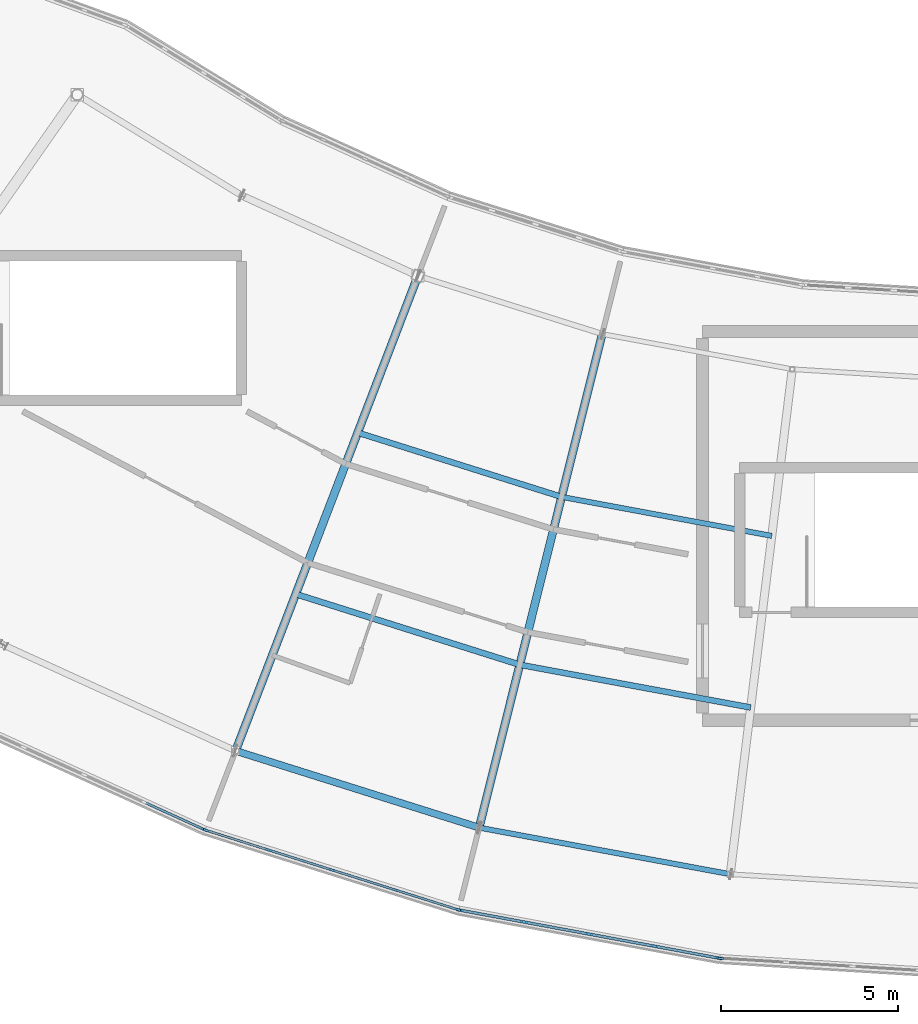
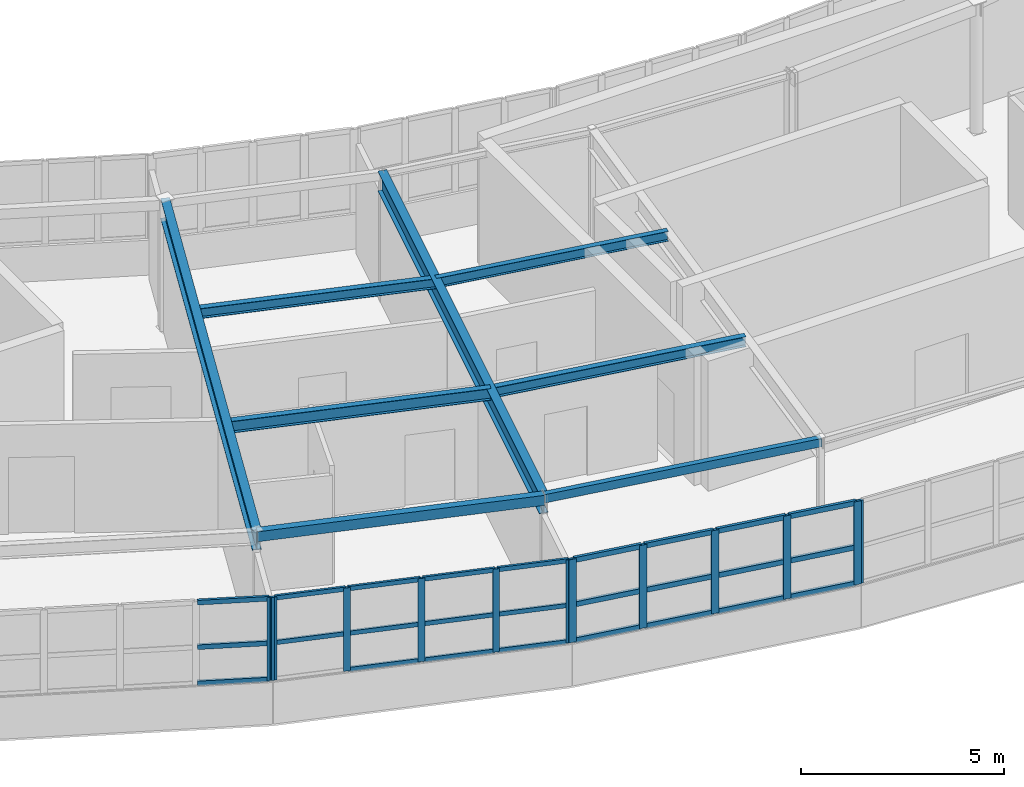
# One storey, part 15 of 60: 38 members, 8 beams, 4 elements without a shape of their own.
"""IFC4 building model written with IfcOpenShell, lengths in metres."""

from ifc_helpers import new_model, si_unit, direction, frame, origin, origin_2d, place, context, subcontext, project, spatial, rectangle, hollow_rectangle, i_section, extrude, material, layer, layer_set, material_profile, profile_set, type_object, element, aggregate, save


model = new_model("IFC4")

# Units and contexts
model_context = context("Model", 3, precision=1e-05, world=origin(), true_north=direction((0.0, 1.0)))
body_context = subcontext(model_context, "Body", "Model", "MODEL_VIEW")
ifc_project = project(units=[si_unit("LENGTHUNIT", "METRE"), si_unit("AREAUNIT", "SQUARE_METRE"), si_unit("VOLUMEUNIT", "CUBIC_METRE"), si_unit("PLANEANGLEUNIT", "RADIAN"), si_unit("MASSUNIT", "GRAM", prefix="KILO")], contexts=[model_context])

# Site, building, storey
site_placement = place(None, origin())
site = spatial("IfcSite", under=ifc_project, at=site_placement, CompositionType="ELEMENT")
building_placement = place(site_placement, origin())
building = spatial("IfcBuilding", under=site, at=building_placement, Name="Tarnwether General Hospital", CompositionType="ELEMENT")
storey_placement = place(building_placement, frame((0.0, 0.0, 26.10009765625)))
storey = spatial("IfcBuildingStorey", under=building, at=storey_placement, Name="L06", CompositionType="ELEMENT", Elevation=26.10009765625)

# Beams
ifc_material_1 = material(Name="Steel Grade 350 (350 MPa)", Category="steel")
ifc_material_profile_1 = material_profile(ifc_material_1, i_section(OverallWidth=0.22900390625, OverallDepth=0.612060546875, WebThickness=0.011962890625, FlangeThickness=0.01953125, at=origin_2d()), Name="610UB125")
ifc_profile_set_1 = profile_set([ifc_material_profile_1], Name="Steel Grade 350 (350 MPa)")
beam_type_1 = type_object("IfcBeamType", Name="BM-G03", PredefinedType="BEAM", material=ifc_profile_set_1)
beam_1_placement = place(storey_placement, frame((70.784912109375, 7.73193359375, 3.593994140625), z_axis=(0.358334838026, 0.933593136145, 0.0), x_axis=(-0.933593136145, 0.358334838026, 0.0)))
element("IfcBeam", 1, at=beam_1_placement, inside=storey, type_object=beam_type_1, Name="Curved Ward SE Radial Girder BMG-L06-7078_773-7594_2118-2193", PredefinedType="BEAM", context=body_context, shape_type="SweptSolid", body=[
    extrude(i_section(OverallWidth=0.22900390625, OverallDepth=0.612060546875, WebThickness=0.011962890625, FlangeThickness=0.01953125, at=origin_2d()), origin(), (0.0, 0.0, 1.0), 14.400390625),
])
ifc_material_2 = material(Name="Steel Grade 350 (350 MPa)", Category="steel")
ifc_material_profile_2 = material_profile(ifc_material_2, i_section(OverallWidth=0.22802734375, OverallDepth=0.60693359375, WebThickness=0.01123046875, FlangeThickness=0.017333984375, at=origin_2d()), Name="610UB113")
ifc_profile_set_2 = profile_set([ifc_material_profile_2], Name="Steel Grade 350 (350 MPa)")
beam_type_2 = type_object("IfcBeamType", Name="BM-G04", PredefinedType="BEAM", material=ifc_profile_set_2)
beam_2_placement = place(storey_placement, frame((77.677978515625, 5.55810546875, 3.596435546875), z_axis=(0.241941215118, 0.970290909175, 0.0), x_axis=(-0.970290909175, 0.241941215118, 0.0)))
element("IfcBeam", 2, at=beam_2_placement, inside=storey, type_object=beam_type_2, Name="Curved Ward SE Radial Girder BMG-L06-7768_556-8116_1953-2194", PredefinedType="BEAM", context=body_context, shape_type="SweptSolid", body=[
    extrude(i_section(OverallWidth=0.22802734375, OverallDepth=0.60693359375, WebThickness=0.01123046875, FlangeThickness=0.017333984375, at=origin_2d()), origin(), (0.0, 0.0, 1.0), 14.400634765625),
])
ifc_material_3 = material(Name="Steel Grade 350 (350 MPa)", Category="steel")
ifc_material_profile_3 = material_profile(ifc_material_3, i_section(OverallWidth=0.1708984375, OverallDepth=0.35595703125, WebThickness=0.00732421875, FlangeThickness=0.011474609375, at=origin_2d()), Name="360UB50.7")
ifc_profile_set_3 = profile_set([ifc_material_profile_3], Name="Steel Grade 350 (350 MPa)")
beam_type_3 = type_object("IfcBeamType", Name="BM-J04", PredefinedType="JOIST", material=ifc_profile_set_3)
beam_3_placement = place(storey_placement, frame((72.488037109375, 12.1689453125, 3.721923828125), z_axis=(0.953671429399, -0.300850136693, 0.0), x_axis=(0.300850136693, 0.953671429399, 0.0)))
element("IfcBeam", 3, at=beam_3_placement, inside=storey, type_object=beam_type_3, Name="Curved Ward SE Chord Joist BMG-L06-7249_1217-7883_1017-2204", PredefinedType="JOIST", context=body_context, shape_type="SweptSolid", body=[
    extrude(i_section(OverallWidth=0.1708984375, OverallDepth=0.35595703125, WebThickness=0.00732421875, FlangeThickness=0.011474609375, at=origin_2d()), origin(), (0.0, 0.0, 1.0), 6.64794921875),
])
ifc_material_4 = material(Name="Steel Grade 350 (350 MPa)", Category="steel")
ifc_material_profile_4 = material_profile(ifc_material_4, i_section(OverallWidth=0.166015625, OverallDepth=0.306884765625, WebThickness=0.006591796875, FlangeThickness=0.01171875, at=origin_2d()), Name="310UB46.2")
ifc_profile_set_4 = profile_set([ifc_material_profile_4], Name="Steel Grade 350 (350 MPa)")
beam_type_4 = type_object("IfcBeamType", Name="BM-J05", PredefinedType="JOIST", material=ifc_profile_set_4)
beam_4_placement = place(storey_placement, frame((78.827880859375, 10.1689453125, 3.746337890625), z_axis=(0.983267388773, -0.18216817004, 0.0), x_axis=(0.18216817004, 0.983267388773, 0.0)))
element("IfcBeam", 4, at=beam_4_placement, inside=storey, type_object=beam_type_4, Name="Curved Ward SE Chord Joist BMG-L06-7883_1017-8536_896-2208", PredefinedType="JOIST", context=body_context, shape_type="SweptSolid", body=[
    extrude(i_section(OverallWidth=0.166015625, OverallDepth=0.306884765625, WebThickness=0.006591796875, FlangeThickness=0.01171875, at=origin_2d()), origin(), (0.0, 0.0, 1.0), 6.6474609375),
])
ifc_material_5 = material(Name="Steel Grade 350 (350 MPa)", Category="steel")
ifc_material_profile_5 = material_profile(ifc_material_5, i_section(OverallWidth=0.1650390625, OverallDepth=0.303955078125, WebThickness=0.006103515625, FlangeThickness=0.01025390625, at=origin_2d()), Name="310UB40.4")
ifc_profile_set_5 = profile_set([ifc_material_profile_5], Name="Steel Grade 350 (350 MPa)")
beam_type_5 = type_object("IfcBeamType", Name="BM-J07", PredefinedType="JOIST", material=ifc_profile_set_5)
beam_5_placement = place(storey_placement, frame((74.241943359375, 16.739013671875, 3.747802734375), z_axis=(0.953725879816, -0.300677478654, 0.0), x_axis=(0.300677478654, 0.953725879816, 0.0)))
element("IfcBeam", 5, at=beam_5_placement, inside=storey, type_object=beam_type_5, Name="Curved Ward SE Chord Joist BMG-L06-7424_1674-8001_1492-2205", PredefinedType="JOIST", context=body_context, shape_type="SweptSolid", body=[
    extrude(i_section(OverallWidth=0.1650390625, OverallDepth=0.303955078125, WebThickness=0.006103515625, FlangeThickness=0.01025390625, at=origin_2d()), origin(), (0.0, 0.0, 1.0), 6.050048828125),
])
ifc_material_6 = material(Name="Steel Grade 350 (350 MPa)", Category="steel")
ifc_material_profile_6 = material_profile(ifc_material_6, i_section(OverallWidth=0.14892578125, OverallDepth=0.298095703125, WebThickness=0.005615234375, FlangeThickness=0.008056640625, at=origin_2d()), Name="310UB32.0")
ifc_profile_set_6 = profile_set([ifc_material_profile_6], Name="Steel Grade 350 (350 MPa)")
beam_type_6 = type_object("IfcBeamType", Name="BM-J08", PredefinedType="JOIST", material=ifc_profile_set_6)
beam_6_placement = place(storey_placement, frame((80.011962890625, 14.919921875, 3.7509765625), z_axis=(0.983241575901, -0.182307442029, 0.0), x_axis=(0.182307442029, 0.983241575901, 0.0)))
element("IfcBeam", 6, at=beam_6_placement, inside=storey, type_object=beam_type_6, Name="Curved Ward SE Chord Joist BMG-L06-8001_1492-8596_1382-2209", PredefinedType="JOIST", context=body_context, shape_type="SweptSolid", body=[
    extrude(i_section(OverallWidth=0.14892578125, OverallDepth=0.298095703125, WebThickness=0.005615234375, FlangeThickness=0.008056640625, at=origin_2d()), origin(), (0.0, 0.0, 1.0), 6.05029296875),
])
ifc_material_7 = material(Name="Steel Grade C350L0 (350 MPa)", Category="steel")
ifc_material_profile_7 = material_profile(ifc_material_7, hollow_rectangle(XDim=0.199951171875, YDim=0.300048828125, WallThickness=0.012451171875, at=origin_2d()), Name="RHS300x200x12.5")
ifc_profile_set_7 = profile_set([ifc_material_profile_7], Name="Steel Grade C350L0 (350 MPa)")
beam_type_7 = type_object("IfcBeamType", Name="BM-SP3", PredefinedType="SPANDREL", material=ifc_profile_set_7)
beam_7_placement = place(storey_placement, frame((70.784912109375, 7.73193359375, 3.75), z_axis=(0.953698988948, -0.300762761125, 0.0), x_axis=(0.300762761125, 0.953698988948, 0.0)))
element("IfcBeam", 7, at=beam_7_placement, inside=storey, type_object=beam_type_7, Name="Curved Ward SE Outer Spandrel BMG-L06-7078_773-7768_556-2202", PredefinedType="SPANDREL", context=body_context, shape_type="SweptSolid", body=[
    extrude(hollow_rectangle(XDim=0.199951171875, YDim=0.300048828125, WallThickness=0.012451171875, at=origin_2d()), origin(), (0.0, 0.0, 1.0), 7.227783203125),
])
ifc_material_8 = material(Name="Steel Grade C350L0 (350 MPa)", Category="steel")
ifc_material_profile_8 = material_profile(ifc_material_8, hollow_rectangle(XDim=0.14990234375, YDim=0.25, WallThickness=0.010009765625, at=origin_2d()), Name="RHS250x150x10")
ifc_profile_set_8 = profile_set([ifc_material_profile_8], Name="Steel Grade C350L0 (350 MPa)")
beam_type_8 = type_object("IfcBeamType", Name="BM-SP4", PredefinedType="SPANDREL", material=ifc_profile_set_8)
beam_8_placement = place(storey_placement, frame((77.677978515625, 5.55810546875, 3.77490234375), z_axis=(0.98325623662, -0.182228354399, 0.0), x_axis=(0.182228354399, 0.98325623662, 0.0)))
element("IfcBeam", 8, at=beam_8_placement, inside=storey, type_object=beam_type_8, Name="Curved Ward SE Outer Spandrel BMG-L06-7768_556-8478_424-2206", PredefinedType="SPANDREL", context=body_context, shape_type="SweptSolid", body=[
    extrude(hollow_rectangle(XDim=0.14990234375, YDim=0.25, WallThickness=0.010009765625, at=origin_2d()), origin(), (0.0, 0.0, 1.0), 7.22802734375),
])

# Curtain wall, member
ifc_material_9 = material(Name="Anodised aluminium", Category="aluminium")
ifc_layer = layer(ifc_material_9, 0.179931640625)
ifc_layer_set = layer_set([ifc_layer], Name="Anodised aluminium")
curtain_wall_type = type_object("IfcCurtainWallType", Name="CW-11", PredefinedType="NOTDEFINED", material=ifc_layer_set)
curtain_wall_1_placement = place(storey_placement, origin())
curtain_wall_1 = element("IfcCurtainWall", 9, at=curtain_wall_1_placement, inside=storey, type_object=curtain_wall_type, Name="Curtain Wall CWG-L06-920_14-0249", PredefinedType="NOTDEFINED")
ifc_material_10 = material(Name="Anodised aluminium", Category="aluminium")
ifc_material_profile_9 = material_profile(ifc_material_10, rectangle(XDim=0.06005859375, YDim=0.159912109375, at=origin_2d()), Name="ALU-MUL-60x160")
ifc_profile_set_9 = profile_set([ifc_material_profile_9], Name="Anodised aluminium")
member_type_1 = type_object("IfcMemberType", Name="CW-ML1", PredefinedType="MULLION", material=ifc_profile_set_9)
member_1_placement = place(storey_placement, frame((84.52294921875, 1.857177734375, 1.0498046875), z_axis=(0.0, 0.0, 1.0), x_axis=(-0.061028962567, -0.998135995608, 0.0)))
member_1 = element("IfcMember", 10, at=member_1_placement, type_object=member_type_1, Name="CW-11 mullion 5", PredefinedType="MULLION", context=body_context, shape_type="SweptSolid", body=[
    extrude(rectangle(XDim=0.06005859375, YDim=0.159912109375, at=origin_2d()), origin(), (0.0, 0.0, 1.0), 2.4951171875),
])
aggregate(curtain_wall_1, [member_1])

curtain_wall_2_placement = place(storey_placement, origin())
curtain_wall_2 = element("IfcCurtainWall", 11, at=curtain_wall_2_placement, inside=storey, type_object=curtain_wall_type, Name="Curtain Wall CWG-L06-699_55-0246", PredefinedType="NOTDEFINED")
ifc_material_11 = material(Name="Anodised aluminium", Category="aluminium")
ifc_material_profile_10 = material_profile(ifc_material_11, rectangle(XDim=0.070068359375, YDim=0.179931640625, at=origin_2d()), Name="ALU-MUL-70x180")
ifc_profile_set_10 = profile_set([ifc_material_profile_10], Name="Anodised aluminium")
member_type_2 = type_object("IfcMemberType", Name="CW-ML2", PredefinedType="MULLION", material=ifc_profile_set_10)
member_2_placement = place(storey_placement, frame((69.89306640625, 5.505615234375, 1.0498046875), z_axis=(0.0, 0.0, 1.0), x_axis=(-0.414694289316, -0.909960793886, 0.0)))
member_2 = element("IfcMember", 12, at=member_2_placement, type_object=member_type_2, Name="CW-11 mullion 1", PredefinedType="MULLION", context=body_context, shape_type="SweptSolid", body=[
    extrude(rectangle(XDim=0.070068359375, YDim=0.179931640625, at=origin_2d()), origin(), (0.0, 0.0, 1.0), 2.4951171875),
])

# Curtain wall, members
curtain_wall_3_placement = place(storey_placement, origin())
curtain_wall_3 = element("IfcCurtainWall", 13, at=curtain_wall_3_placement, inside=storey, type_object=curtain_wall_type, Name="Curtain Wall CWG-L06-771_32-0247", PredefinedType="NOTDEFINED")
ifc_material_12 = material(Name="Anodised aluminium", Category="aluminium")
ifc_material_profile_11 = material_profile(ifc_material_12, rectangle(XDim=0.06494140625, YDim=0.169921875, at=origin_2d()), Name="ALU-MUL-65x170")
ifc_profile_set_11 = profile_set([ifc_material_profile_11], Name="Anodised aluminium")
member_type_3 = type_object("IfcMemberType", Name="CW-ML3", PredefinedType="MULLION", material=ifc_profile_set_11)
member_3_placement = place(storey_placement, frame((77.06689453125, 3.23974609375, 1.0498046875), z_axis=(0.0, 0.0, 1.0), x_axis=(-0.300628613299, -0.953741284032, 0.0)))
member_3 = element("IfcMember", 14, at=member_3_placement, type_object=member_type_3, Name="CW-11 mullion 1", PredefinedType="MULLION", context=body_context, shape_type="SweptSolid", body=[
    extrude(rectangle(XDim=0.06494140625, YDim=0.169921875, at=origin_2d()), origin(), (0.0, 0.0, 1.0), 2.4951171875),
])
member_4_placement = place(storey_placement, frame((75.3046875, 3.795166015625, 1.0498046875), z_axis=(0.0, 0.0, 1.0), x_axis=(-0.300628613299, -0.953741284032, 0.0)))
member_4 = element("IfcMember", 15, at=member_4_placement, type_object=member_type_3, Name="CW-11 mullion 2", PredefinedType="MULLION", context=body_context, shape_type="SweptSolid", body=[
    extrude(rectangle(XDim=0.06494140625, YDim=0.169921875, at=origin_2d()), origin(), (0.0, 0.0, 1.0), 2.4951171875),
])
member_5_placement = place(storey_placement, frame((73.511474609375, 4.360595703125, 1.0498046875), z_axis=(0.0, 0.0, 1.0), x_axis=(-0.300628613299, -0.953741284032, 0.0)))
member_5 = element("IfcMember", 16, at=member_5_placement, type_object=member_type_3, Name="CW-11 mullion 3", PredefinedType="MULLION", context=body_context, shape_type="SweptSolid", body=[
    extrude(rectangle(XDim=0.06494140625, YDim=0.169921875, at=origin_2d()), origin(), (0.0, 0.0, 1.0), 2.4951171875),
])
member_6_placement = place(storey_placement, frame((71.71826171875, 4.92578125, 1.0498046875), z_axis=(0.0, 0.0, 1.0), x_axis=(-0.300628613299, -0.953741284032, 0.0)))
member_6 = element("IfcMember", 17, at=member_6_placement, type_object=member_type_3, Name="CW-11 mullion 4", PredefinedType="MULLION", context=body_context, shape_type="SweptSolid", body=[
    extrude(rectangle(XDim=0.06494140625, YDim=0.169921875, at=origin_2d()), origin(), (0.0, 0.0, 1.0), 2.4951171875),
])
member_7_placement = place(storey_placement, frame((69.9560546875, 5.481201171875, 1.0498046875), z_axis=(0.0, 0.0, 1.0), x_axis=(-0.300628613299, -0.953741284032, 0.0)))
member_7 = element("IfcMember", 18, at=member_7_placement, type_object=member_type_3, Name="CW-11 mullion 5", PredefinedType="MULLION", context=body_context, shape_type="SweptSolid", body=[
    extrude(rectangle(XDim=0.06494140625, YDim=0.169921875, at=origin_2d()), origin(), (0.0, 0.0, 1.0), 2.4951171875),
])

curtain_wall_4_placement = place(storey_placement, origin())
curtain_wall_4 = element("IfcCurtainWall", 19, at=curtain_wall_4_placement, inside=storey, type_object=curtain_wall_type, Name="Curtain Wall CWG-L06-845_19-0248", PredefinedType="NOTDEFINED")
ifc_material_13 = material(Name="Anodised aluminium", Category="aluminium")
ifc_material_profile_12 = material_profile(ifc_material_13, rectangle(XDim=0.080078125, YDim=0.199951171875, at=origin_2d()), Name="ALU-MUL-80x200")
ifc_profile_set_12 = profile_set([ifc_material_profile_12], Name="Anodised aluminium")
member_type_4 = type_object("IfcMemberType", Name="CW-ML4", PredefinedType="MULLION", material=ifc_profile_set_12)
member_8_placement = place(storey_placement, frame((84.45361328125, 1.8662109375, 1.0498046875), z_axis=(0.0, 0.0, 1.0), x_axis=(-0.182289226614, -0.983244953132, 0.0)))
member_8 = element("IfcMember", 20, at=member_8_placement, type_object=member_type_4, Name="CW-11 mullion 1", PredefinedType="MULLION", context=body_context, shape_type="SweptSolid", body=[
    extrude(rectangle(XDim=0.080078125, YDim=0.199951171875, at=origin_2d()), origin(), (0.0, 0.0, 1.0), 2.4951171875),
])
member_9_placement = place(storey_placement, frame((82.644287109375, 2.20166015625, 1.0498046875), z_axis=(0.0, 0.0, 1.0), x_axis=(-0.182289226614, -0.983244953132, 0.0)))
member_9 = element("IfcMember", 21, at=member_9_placement, type_object=member_type_4, Name="CW-11 mullion 2", PredefinedType="MULLION", context=body_context, shape_type="SweptSolid", body=[
    extrude(rectangle(XDim=0.080078125, YDim=0.199951171875, at=origin_2d()), origin(), (0.0, 0.0, 1.0), 2.4951171875),
])
member_10_placement = place(storey_placement, frame((80.79541015625, 2.54443359375, 1.0498046875), z_axis=(0.0, 0.0, 1.0), x_axis=(-0.182289226614, -0.983244953132, 0.0)))
member_10 = element("IfcMember", 22, at=member_10_placement, type_object=member_type_4, Name="CW-11 mullion 3", PredefinedType="MULLION", context=body_context, shape_type="SweptSolid", body=[
    extrude(rectangle(XDim=0.080078125, YDim=0.199951171875, at=origin_2d()), origin(), (0.0, 0.0, 1.0), 2.4951171875),
])
member_11_placement = place(storey_placement, frame((78.94677734375, 2.88720703125, 1.0498046875), z_axis=(0.0, 0.0, 1.0), x_axis=(-0.182289226614, -0.983244953132, 0.0)))
member_11 = element("IfcMember", 23, at=member_11_placement, type_object=member_type_4, Name="CW-11 mullion 4", PredefinedType="MULLION", context=body_context, shape_type="SweptSolid", body=[
    extrude(rectangle(XDim=0.080078125, YDim=0.199951171875, at=origin_2d()), origin(), (0.0, 0.0, 1.0), 2.4951171875),
])
member_12_placement = place(storey_placement, frame((77.137451171875, 3.22265625, 1.0498046875), z_axis=(0.0, 0.0, 1.0), x_axis=(-0.182289226614, -0.983244953132, 0.0)))
member_12 = element("IfcMember", 24, at=member_12_placement, type_object=member_type_4, Name="CW-11 mullion 5", PredefinedType="MULLION", context=body_context, shape_type="SweptSolid", body=[
    extrude(rectangle(XDim=0.080078125, YDim=0.199951171875, at=origin_2d()), origin(), (0.0, 0.0, 1.0), 2.4951171875),
])

# Member
ifc_material_14 = material(Name="Anodised aluminium", Category="aluminium")
ifc_material_profile_13 = material_profile(ifc_material_14, rectangle(XDim=0.070068359375, YDim=0.139892578125, at=origin_2d()), Name="ALU-TRN-70x140")
ifc_profile_set_13 = profile_set([ifc_material_profile_13], Name="Anodised aluminium")
member_type_5 = type_object("IfcMemberType", Name="CW-TR2", PredefinedType="USERDEFINED", material=ifc_profile_set_13)
member_13_placement = place(storey_placement, frame((69.861328125, 5.52001953125, 1.0849609375), z_axis=(-0.909937431902, 0.414745548529, 0.0), x_axis=(-0.414745548529, -0.909937431902, 0.0)))
member_13 = element("IfcMember", 25, at=member_13_placement, type_object=member_type_5, Name="CW-11 transom 1.1", ObjectType="TRANSOM", PredefinedType="USERDEFINED", context=body_context, shape_type="SweptSolid", body=[
    extrude(rectangle(XDim=0.070068359375, YDim=0.139892578125, at=origin_2d()), origin(), (0.0, 0.0, 1.0), 1.775390625),
])

member_14_placement = place(storey_placement, frame((69.861328125, 5.52001953125, 2.172607421875), z_axis=(-0.909937431902, 0.414745548529, 0.0), x_axis=(-0.414745548529, -0.909937431902, 0.0)))
member_14 = element("IfcMember", 26, at=member_14_placement, type_object=member_type_5, Name="CW-11 transom 1.2", ObjectType="TRANSOM", PredefinedType="USERDEFINED", context=body_context, shape_type="SweptSolid", body=[
    extrude(rectangle(XDim=0.070068359375, YDim=0.139892578125, at=origin_2d()), origin(), (0.0, 0.0, 1.0), 1.775390625),
])

member_15_placement = place(storey_placement, frame((69.861328125, 5.52001953125, 3.510009765625), z_axis=(-0.909937431902, 0.414745548529, 0.0), x_axis=(-0.414745548529, -0.909937431902, 0.0)))
member_15 = element("IfcMember", 27, at=member_15_placement, type_object=member_type_5, Name="CW-11 transom 1.3", ObjectType="TRANSOM", PredefinedType="USERDEFINED", context=body_context, shape_type="SweptSolid", body=[
    extrude(rectangle(XDim=0.070068359375, YDim=0.139892578125, at=origin_2d()), origin(), (0.0, 0.0, 1.0), 1.775390625),
])

aggregate(curtain_wall_2, [member_2, member_13, member_14, member_15])

ifc_material_15 = material(Name="Anodised aluminium", Category="aluminium")
ifc_material_profile_14 = material_profile(ifc_material_15, rectangle(XDim=0.06494140625, YDim=0.1298828125, at=origin_2d()), Name="ALU-TRN-65x130")
ifc_profile_set_14 = profile_set([ifc_material_profile_14], Name="Anodised aluminium")
member_type_6 = type_object("IfcMemberType", Name="CW-TR3", PredefinedType="USERDEFINED", material=ifc_profile_set_14)
member_16_placement = place(storey_placement, frame((77.035888671875, 3.24951171875, 1.08251953125), z_axis=(-0.953746041138, 0.300613521008, 0.0), x_axis=(-0.300613521008, -0.953746041138, 0.0)))
member_16 = element("IfcMember", 28, at=member_16_placement, type_object=member_type_6, Name="CW-11 transom 1.1", ObjectType="TRANSOM", PredefinedType="USERDEFINED", context=body_context, shape_type="SweptSolid", body=[
    extrude(rectangle(XDim=0.06494140625, YDim=0.1298828125, at=origin_2d()), origin(), (0.0, 0.0, 1.0), 1.78271484375),
])

member_17_placement = place(storey_placement, frame((77.035888671875, 3.24951171875, 2.172607421875), z_axis=(-0.953746041138, 0.300613521008, 0.0), x_axis=(-0.300613521008, -0.953746041138, 0.0)))
member_17 = element("IfcMember", 29, at=member_17_placement, type_object=member_type_6, Name="CW-11 transom 1.2", ObjectType="TRANSOM", PredefinedType="USERDEFINED", context=body_context, shape_type="SweptSolid", body=[
    extrude(rectangle(XDim=0.06494140625, YDim=0.1298828125, at=origin_2d()), origin(), (0.0, 0.0, 1.0), 1.78271484375),
])

member_18_placement = place(storey_placement, frame((77.035888671875, 3.24951171875, 3.512451171875), z_axis=(-0.953746041138, 0.300613521008, 0.0), x_axis=(-0.300613521008, -0.953746041138, 0.0)))
member_18 = element("IfcMember", 30, at=member_18_placement, type_object=member_type_6, Name="CW-11 transom 1.3", ObjectType="TRANSOM", PredefinedType="USERDEFINED", context=body_context, shape_type="SweptSolid", body=[
    extrude(rectangle(XDim=0.06494140625, YDim=0.1298828125, at=origin_2d()), origin(), (0.0, 0.0, 1.0), 1.78271484375),
])

member_19_placement = place(storey_placement, frame((75.273681640625, 3.804931640625, 1.08251953125), z_axis=(-0.953708607769, 0.300732258775, 0.0), x_axis=(-0.300732258775, -0.953708607769, 0.0)))
member_19 = element("IfcMember", 31, at=member_19_placement, type_object=member_type_6, Name="CW-11 transom 2.1", ObjectType="TRANSOM", PredefinedType="USERDEFINED", context=body_context, shape_type="SweptSolid", body=[
    extrude(rectangle(XDim=0.06494140625, YDim=0.1298828125, at=origin_2d()), origin(), (0.0, 0.0, 1.0), 1.815185546875),
])

member_20_placement = place(storey_placement, frame((75.273681640625, 3.804931640625, 2.172607421875), z_axis=(-0.953708607769, 0.300732258775, 0.0), x_axis=(-0.300732258775, -0.953708607769, 0.0)))
member_20 = element("IfcMember", 32, at=member_20_placement, type_object=member_type_6, Name="CW-11 transom 2.2", ObjectType="TRANSOM", PredefinedType="USERDEFINED", context=body_context, shape_type="SweptSolid", body=[
    extrude(rectangle(XDim=0.06494140625, YDim=0.1298828125, at=origin_2d()), origin(), (0.0, 0.0, 1.0), 1.815185546875),
])

member_21_placement = place(storey_placement, frame((75.273681640625, 3.804931640625, 3.512451171875), z_axis=(-0.953708607769, 0.300732258775, 0.0), x_axis=(-0.300732258775, -0.953708607769, 0.0)))
member_21 = element("IfcMember", 33, at=member_21_placement, type_object=member_type_6, Name="CW-11 transom 2.3", ObjectType="TRANSOM", PredefinedType="USERDEFINED", context=body_context, shape_type="SweptSolid", body=[
    extrude(rectangle(XDim=0.06494140625, YDim=0.1298828125, at=origin_2d()), origin(), (0.0, 0.0, 1.0), 1.815185546875),
])

member_22_placement = place(storey_placement, frame((73.48046875, 4.370361328125, 1.08251953125), z_axis=(-0.953747176305, 0.300609919481, 0.0), x_axis=(-0.300609919481, -0.953747176305, 0.0)))
member_22 = element("IfcMember", 34, at=member_22_placement, type_object=member_type_6, Name="CW-11 transom 3.1", ObjectType="TRANSOM", PredefinedType="USERDEFINED", context=body_context, shape_type="SweptSolid", body=[
    extrude(rectangle(XDim=0.06494140625, YDim=0.1298828125, at=origin_2d()), origin(), (0.0, 0.0, 1.0), 1.815185546875),
])

member_23_placement = place(storey_placement, frame((73.48046875, 4.370361328125, 2.172607421875), z_axis=(-0.953747176305, 0.300609919481, 0.0), x_axis=(-0.300609919481, -0.953747176305, 0.0)))
member_23 = element("IfcMember", 35, at=member_23_placement, type_object=member_type_6, Name="CW-11 transom 3.2", ObjectType="TRANSOM", PredefinedType="USERDEFINED", context=body_context, shape_type="SweptSolid", body=[
    extrude(rectangle(XDim=0.06494140625, YDim=0.1298828125, at=origin_2d()), origin(), (0.0, 0.0, 1.0), 1.815185546875),
])

member_24_placement = place(storey_placement, frame((73.48046875, 4.370361328125, 3.512451171875), z_axis=(-0.953747176305, 0.300609919481, 0.0), x_axis=(-0.300609919481, -0.953747176305, 0.0)))
member_24 = element("IfcMember", 36, at=member_24_placement, type_object=member_type_6, Name="CW-11 transom 3.3", ObjectType="TRANSOM", PredefinedType="USERDEFINED", context=body_context, shape_type="SweptSolid", body=[
    extrude(rectangle(XDim=0.06494140625, YDim=0.1298828125, at=origin_2d()), origin(), (0.0, 0.0, 1.0), 1.815185546875),
])

member_25_placement = place(storey_placement, frame((71.687255859375, 4.935546875, 2.172607421875), z_axis=(-0.953746041138, 0.300613521008, 0.0), x_axis=(-0.300613521008, -0.953746041138, 0.0)))
member_25 = element("IfcMember", 37, at=member_25_placement, type_object=member_type_6, Name="CW-11 transom 4.2", ObjectType="TRANSOM", PredefinedType="USERDEFINED", context=body_context, shape_type="SweptSolid", body=[
    extrude(rectangle(XDim=0.06494140625, YDim=0.1298828125, at=origin_2d()), origin(), (0.0, 0.0, 1.0), 1.78271484375),
])

member_26_placement = place(storey_placement, frame((71.687255859375, 4.935546875, 3.512451171875), z_axis=(-0.953746041138, 0.300613521008, 0.0), x_axis=(-0.300613521008, -0.953746041138, 0.0)))
member_26 = element("IfcMember", 38, at=member_26_placement, type_object=member_type_6, Name="CW-11 transom 4.3", ObjectType="TRANSOM", PredefinedType="USERDEFINED", context=body_context, shape_type="SweptSolid", body=[
    extrude(rectangle(XDim=0.06494140625, YDim=0.1298828125, at=origin_2d()), origin(), (0.0, 0.0, 1.0), 1.78271484375),
])

aggregate(curtain_wall_3, [member_3, member_4, member_5, member_6, member_7, member_16, member_17, member_18, member_19, member_20, member_21, member_22, member_23, member_24, member_25, member_26])

ifc_material_16 = material(Name="Anodised aluminium", Category="aluminium")
ifc_material_profile_15 = material_profile(ifc_material_16, rectangle(XDim=0.080078125, YDim=0.14990234375, at=origin_2d()), Name="ALU-TRN-80x150")
ifc_profile_set_15 = profile_set([ifc_material_profile_15], Name="Anodised aluminium")
member_type_7 = type_object("IfcMemberType", Name="CW-TR4", PredefinedType="USERDEFINED", material=ifc_profile_set_15)
member_27_placement = place(storey_placement, frame((84.414306640625, 1.87353515625, 1.08984375), z_axis=(-0.983226775136, 0.182387249161, 0.0), x_axis=(-0.182387249161, -0.983226775136, 0.0)))
member_27 = element("IfcMember", 39, at=member_27_placement, type_object=member_type_7, Name="CW-11 transom 1.1", ObjectType="TRANSOM", PredefinedType="USERDEFINED", context=body_context, shape_type="SweptSolid", body=[
    extrude(rectangle(XDim=0.080078125, YDim=0.14990234375, at=origin_2d()), origin(), (0.0, 0.0, 1.0), 1.76025390625),
])

member_28_placement = place(storey_placement, frame((84.414306640625, 1.87353515625, 2.172607421875), z_axis=(-0.983226775136, 0.182387249161, 0.0), x_axis=(-0.182387249161, -0.983226775136, 0.0)))
member_28 = element("IfcMember", 40, at=member_28_placement, type_object=member_type_7, Name="CW-11 transom 1.2", ObjectType="TRANSOM", PredefinedType="USERDEFINED", context=body_context, shape_type="SweptSolid", body=[
    extrude(rectangle(XDim=0.080078125, YDim=0.14990234375, at=origin_2d()), origin(), (0.0, 0.0, 1.0), 1.76025390625),
])

member_29_placement = place(storey_placement, frame((84.414306640625, 1.87353515625, 3.5048828125), z_axis=(-0.983226775136, 0.182387249161, 0.0), x_axis=(-0.182387249161, -0.983226775136, 0.0)))
member_29 = element("IfcMember", 41, at=member_29_placement, type_object=member_type_7, Name="CW-11 transom 1.3", ObjectType="TRANSOM", PredefinedType="USERDEFINED", context=body_context, shape_type="SweptSolid", body=[
    extrude(rectangle(XDim=0.080078125, YDim=0.14990234375, at=origin_2d()), origin(), (0.0, 0.0, 1.0), 1.76025390625),
])

member_30_placement = place(storey_placement, frame((82.60498046875, 2.208984375, 1.08984375), z_axis=(-0.983252317683, 0.182249498685, 0.0), x_axis=(-0.182249498685, -0.983252317683, 0.0)))
member_30 = element("IfcMember", 42, at=member_30_placement, type_object=member_type_7, Name="CW-11 transom 2.1", ObjectType="TRANSOM", PredefinedType="USERDEFINED", context=body_context, shape_type="SweptSolid", body=[
    extrude(rectangle(XDim=0.080078125, YDim=0.14990234375, at=origin_2d()), origin(), (0.0, 0.0, 1.0), 1.800537109375),
])

member_31_placement = place(storey_placement, frame((82.60498046875, 2.208984375, 2.172607421875), z_axis=(-0.983252317683, 0.182249498685, 0.0), x_axis=(-0.182249498685, -0.983252317683, 0.0)))
member_31 = element("IfcMember", 43, at=member_31_placement, type_object=member_type_7, Name="CW-11 transom 2.2", ObjectType="TRANSOM", PredefinedType="USERDEFINED", context=body_context, shape_type="SweptSolid", body=[
    extrude(rectangle(XDim=0.080078125, YDim=0.14990234375, at=origin_2d()), origin(), (0.0, 0.0, 1.0), 1.800537109375),
])

member_32_placement = place(storey_placement, frame((82.60498046875, 2.208984375, 3.5048828125), z_axis=(-0.983252317683, 0.182249498685, 0.0), x_axis=(-0.182249498685, -0.983252317683, 0.0)))
member_32 = element("IfcMember", 44, at=member_32_placement, type_object=member_type_7, Name="CW-11 transom 2.3", ObjectType="TRANSOM", PredefinedType="USERDEFINED", context=body_context, shape_type="SweptSolid", body=[
    extrude(rectangle(XDim=0.080078125, YDim=0.14990234375, at=origin_2d()), origin(), (0.0, 0.0, 1.0), 1.800537109375),
])

member_33_placement = place(storey_placement, frame((80.756103515625, 2.5517578125, 1.08984375), z_axis=(-0.983247812768, 0.182273801429, 0.0), x_axis=(-0.182273801429, -0.983247812768, 0.0)))
member_33 = element("IfcMember", 45, at=member_33_placement, type_object=member_type_7, Name="CW-11 transom 3.1", ObjectType="TRANSOM", PredefinedType="USERDEFINED", context=body_context, shape_type="SweptSolid", body=[
    extrude(rectangle(XDim=0.080078125, YDim=0.14990234375, at=origin_2d()), origin(), (0.0, 0.0, 1.0), 1.80029296875),
])

member_34_placement = place(storey_placement, frame((80.756103515625, 2.5517578125, 2.172607421875), z_axis=(-0.983247812768, 0.182273801429, 0.0), x_axis=(-0.182273801429, -0.983247812768, 0.0)))
member_34 = element("IfcMember", 46, at=member_34_placement, type_object=member_type_7, Name="CW-11 transom 3.2", ObjectType="TRANSOM", PredefinedType="USERDEFINED", context=body_context, shape_type="SweptSolid", body=[
    extrude(rectangle(XDim=0.080078125, YDim=0.14990234375, at=origin_2d()), origin(), (0.0, 0.0, 1.0), 1.80029296875),
])

member_35_placement = place(storey_placement, frame((80.756103515625, 2.5517578125, 3.5048828125), z_axis=(-0.983247812768, 0.182273801429, 0.0), x_axis=(-0.182273801429, -0.983247812768, 0.0)))
member_35 = element("IfcMember", 47, at=member_35_placement, type_object=member_type_7, Name="CW-11 transom 3.3", ObjectType="TRANSOM", PredefinedType="USERDEFINED", context=body_context, shape_type="SweptSolid", body=[
    extrude(rectangle(XDim=0.080078125, YDim=0.14990234375, at=origin_2d()), origin(), (0.0, 0.0, 1.0), 1.80029296875),
])

member_36_placement = place(storey_placement, frame((78.907470703125, 2.89453125, 1.08984375), z_axis=(-0.983251638975, 0.182253160335, 0.0), x_axis=(-0.182253160335, -0.983251638975, 0.0)))
member_36 = element("IfcMember", 48, at=member_36_placement, type_object=member_type_7, Name="CW-11 transom 4.1", ObjectType="TRANSOM", PredefinedType="USERDEFINED", context=body_context, shape_type="SweptSolid", body=[
    extrude(rectangle(XDim=0.080078125, YDim=0.14990234375, at=origin_2d()), origin(), (0.0, 0.0, 1.0), 1.76025390625),
])

member_37_placement = place(storey_placement, frame((78.907470703125, 2.89453125, 2.172607421875), z_axis=(-0.983251638975, 0.182253160335, 0.0), x_axis=(-0.182253160335, -0.983251638975, 0.0)))
member_37 = element("IfcMember", 49, at=member_37_placement, type_object=member_type_7, Name="CW-11 transom 4.2", ObjectType="TRANSOM", PredefinedType="USERDEFINED", context=body_context, shape_type="SweptSolid", body=[
    extrude(rectangle(XDim=0.080078125, YDim=0.14990234375, at=origin_2d()), origin(), (0.0, 0.0, 1.0), 1.76025390625),
])

member_38_placement = place(storey_placement, frame((78.907470703125, 2.89453125, 3.5048828125), z_axis=(-0.983251638975, 0.182253160335, 0.0), x_axis=(-0.182253160335, -0.983251638975, 0.0)))
member_38 = element("IfcMember", 50, at=member_38_placement, type_object=member_type_7, Name="CW-11 transom 4.3", ObjectType="TRANSOM", PredefinedType="USERDEFINED", context=body_context, shape_type="SweptSolid", body=[
    extrude(rectangle(XDim=0.080078125, YDim=0.14990234375, at=origin_2d()), origin(), (0.0, 0.0, 1.0), 1.76025390625),
])

aggregate(curtain_wall_4, [member_8, member_9, member_10, member_11, member_12, member_27, member_28, member_29, member_30, member_31, member_32, member_33, member_34, member_35, member_36, member_37, member_38])

save(model, "model.ifc")
